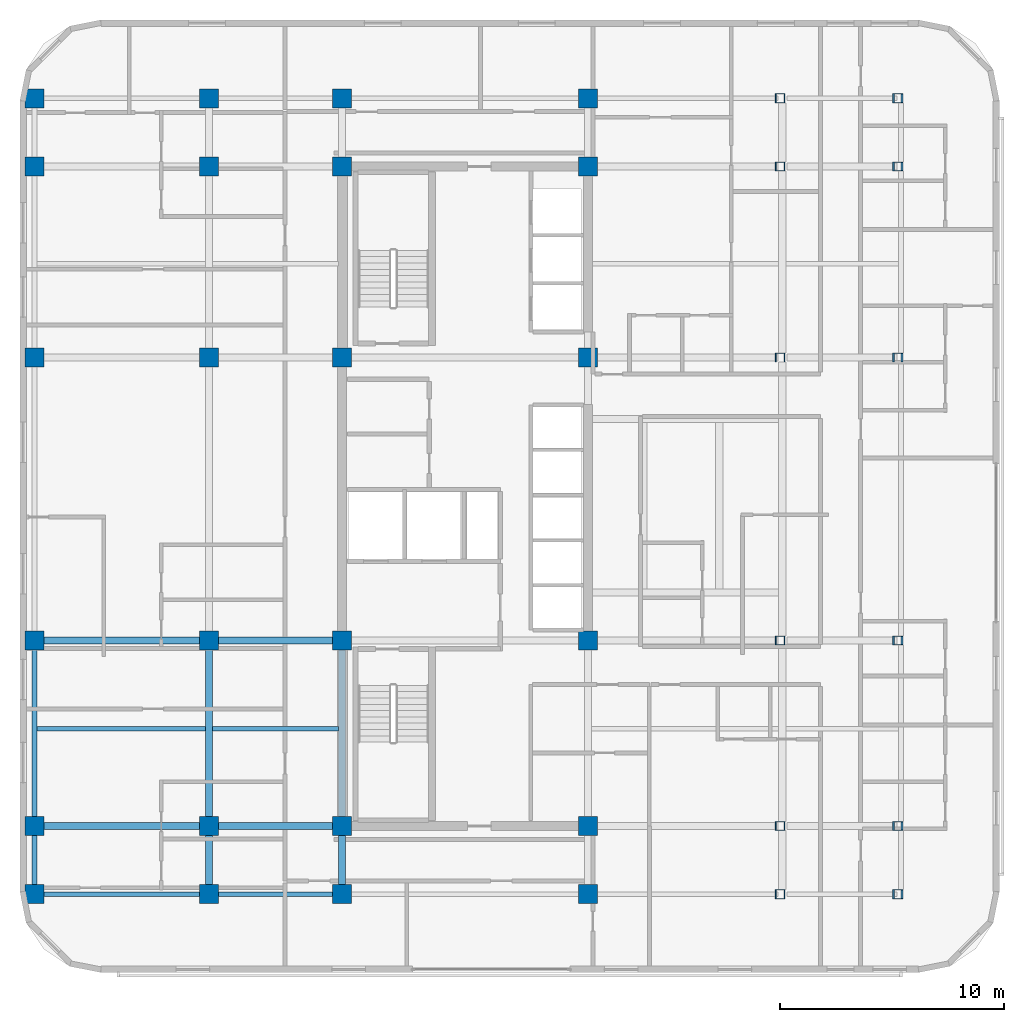
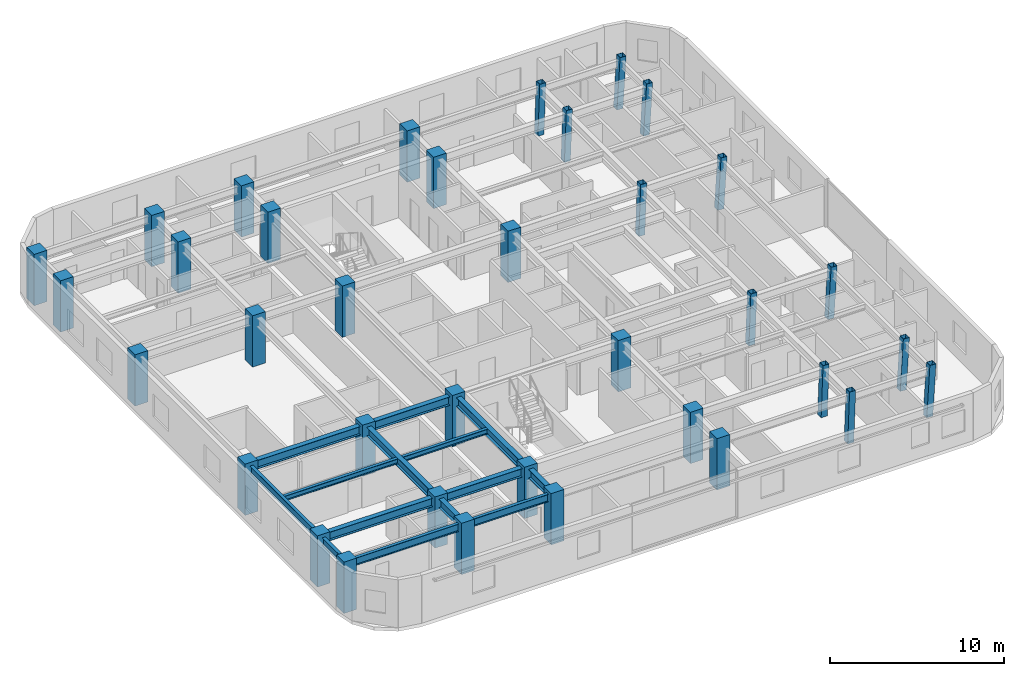
# One storey, part 1 of 14: 36 columns, 14 beams.
"""IFC4 building model written with IfcOpenShell, lengths in metres."""

import ifcopenshell
import ifcopenshell.guid

model = None  # the IFC model being written
_history = None  # IfcOwnerHistory: only IFC2X3 demands one
_inside = {}  # id of a spatial element -> (the spatial element, [elements in it])
_under = {}  # id of a project, library or spatial element -> (it, [spatial elements below it])
_declared = {}  # id of a project -> (the project, [libraries it declares])
_typed = {}  # id of a type object -> (the type object, [elements of that type])
_made_of = {}  # id of a material, layer set ... -> (it, [elements and type objects made of it])


def new_model(schema):
    """Start an empty IFC model of exactly this schema.

    Asked for "IFC4X3", IfcOpenShell would pick the latest addendum, in which some entities
    have other attributes; the version numbers below select the first issue.
    IFC2X3 requires an IfcOwnerHistory on every rooted entity: one is made here for all.
    """
    global model, _history
    if schema == "IFC4X3":
        model = ifcopenshell.file(schema_version=(4, 3, 0, 0))
    else:
        model = ifcopenshell.file(schema=schema)
    _inside.clear()
    _under.clear()
    _declared.clear()
    _typed.clear()
    _made_of.clear()
    _history = None
    if model.schema == "IFC2X3":
        org = make("IfcOrganization", Name="unknown")
        user = make(
            "IfcPersonAndOrganization",
            ThePerson=make("IfcPerson", FamilyName="unknown"),
            TheOrganization=org,
        )
        app = make(
            "IfcApplication",
            ApplicationDeveloper=org,
            Version="unknown",
            ApplicationFullName="unknown",
            ApplicationIdentifier="unknown",
        )
        _history = make(
            "IfcOwnerHistory",
            OwningUser=user,
            OwningApplication=app,
            ChangeAction="ADDED",
            CreationDate=0,
        )
    return model


def make(cls, **values):
    """One entity of the class cls with the attributes given. An attribute that is None is left unset."""
    return model.create_entity(
        cls, **{name: value for name, value in values.items() if value is not None}
    )


def rooted(cls, **values):
    """An entity with a GlobalId (a new one), such as an element, a storey or a relation."""
    return make(cls, GlobalId=ifcopenshell.guid.new(), OwnerHistory=_history, **values)


def si_unit(unit_type, name, prefix=None):
    """IfcSIUnit, for example si_unit("LENGTHUNIT", "METRE", prefix="MILLI")."""
    return make("IfcSIUnit", UnitType=unit_type, Prefix=prefix, Name=name)


def assignment(units):
    """IfcUnitAssignment: the units of a project."""
    return None if units is None else make("IfcUnitAssignment", Units=units)


def point(xyz):
    """IfcCartesianPoint."""
    return None if xyz is None else make("IfcCartesianPoint", Coordinates=xyz)


def direction(xyz):
    """IfcDirection."""
    return None if xyz is None else make("IfcDirection", DirectionRatios=xyz)


def frame(location, z_axis=None, x_axis=None):
    """IfcAxis2Placement3D, a coordinate frame: its origin and axes. An axis left out is left unset."""
    return make(
        "IfcAxis2Placement3D",
        Location=point(location),
        Axis=direction(z_axis),
        RefDirection=direction(x_axis),
    )


def frame_2d(location, x_axis=None):
    """IfcAxis2Placement2D, a coordinate frame in the plane: its origin and x axis."""
    return make(
        "IfcAxis2Placement2D", Location=point(location), RefDirection=direction(x_axis)
    )


def origin():
    """The frame at (0, 0, 0) with its axes left unset."""
    return frame((0.0, 0.0, 0.0))


def origin_2d():
    """The frame at (0, 0) in the plane with its x axis left unset."""
    return frame_2d((0.0, 0.0))


def place(relative_to, where):
    """IfcLocalPlacement: puts the frame where relative to a parent placement (None: the world)."""
    return make(
        "IfcLocalPlacement", PlacementRelTo=relative_to, RelativePlacement=where
    )


def context(
    kind, dimensions, precision=None, world=None, true_north=None, identifier=None
):
    """IfcGeometricRepresentationContext, for example the 3D "Model" context."""
    return make(
        "IfcGeometricRepresentationContext",
        ContextIdentifier=identifier,
        ContextType=kind,
        CoordinateSpaceDimension=dimensions,
        Precision=precision,
        WorldCoordinateSystem=world,
        TrueNorth=true_north,
    )


def subcontext(parent, identifier, kind, view, scale=None):
    """IfcGeometricRepresentationSubContext, for example "Body" below "Model"."""
    return make(
        "IfcGeometricRepresentationSubContext",
        ContextIdentifier=identifier,
        ContextType=kind,
        ParentContext=parent,
        TargetScale=scale,
        TargetView=view,
    )


def project(units=None, contexts=None):
    """IfcProject with its units and contexts."""
    return rooted(
        "IfcProject",
        Name="project",
        RepresentationContexts=contexts,
        UnitsInContext=assignment(units),
    )


def spatial(cls, under=None, at=None, **own):
    """A site, building, storey or space (cls), placed at a placement, below another one or the project."""
    s = rooted(cls, ObjectPlacement=at, **own)
    if under is not None:
        _under.setdefault(under.id(), (under, []))[1].append(s)
    return s


def profile(cls, at=None, kind="AREA", **sizes):
    """A parametric profile (cls). Its sizes go by their IFC names, for example OverallWidth=200.0."""
    return make(cls, ProfileType=kind, Position=at, **sizes)


def rectangle(**sizes):
    """IfcRectangleProfileDef."""
    return profile("IfcRectangleProfileDef", **sizes)


def hollow_rectangle(**sizes):
    """IfcRectangleHollowProfileDef."""
    return profile("IfcRectangleHollowProfileDef", **sizes)


def i_section(**sizes):
    """IfcIShapeProfileDef."""
    return profile("IfcIShapeProfileDef", **sizes)


def extrude(swept, where, along, depth):
    """IfcExtrudedAreaSolid: the profile swept, set in the frame where, extruded along a direction by depth."""
    return make(
        "IfcExtrudedAreaSolid",
        SweptArea=swept,
        Position=where,
        ExtrudedDirection=direction(along),
        Depth=depth,
    )


def shape(context_of_items, identifier, shape_type, items):
    """IfcShapeRepresentation: the items that make up one representation, for example the "Body"."""
    return make(
        "IfcShapeRepresentation",
        ContextOfItems=context_of_items,
        RepresentationIdentifier=identifier,
        RepresentationType=shape_type,
        Items=items,
    )


def material(Name=None, Category=None):
    """IfcMaterial."""
    return make("IfcMaterial", Name=Name, Category=Category)


def material_profile(
    of_material, cross_section, Name=None, Category=None, Priority=None
):
    """IfcMaterialProfile: a cross section and its material."""
    return make(
        "IfcMaterialProfile",
        Name=Name,
        Material=of_material,
        Profile=cross_section,
        Priority=Priority,
        Category=Category,
    )


def profile_set(profiles, Name=None, composite=None):
    """IfcMaterialProfileSet."""
    return make(
        "IfcMaterialProfileSet",
        Name=Name,
        MaterialProfiles=profiles,
        CompositeProfile=composite,
    )


def made_of(thing, what):
    """Note that an element or type object is made of a material, layer set ...; save() writes the relation."""
    if what is not None:
        _made_of.setdefault(what.id(), (what, []))[1].append(thing)
    return thing


def type_object(cls, material=None, **own):
    """A type object (cls), such as IfcWallType, which elements share."""
    return made_of(rooted(cls, **own), material)


def element(
    cls,
    number,
    at=None,
    inside=None,
    cuts=None,
    type_object=None,
    material=None,
    context=None,
    identifier="Body",
    shape_type=None,
    held_by="IfcProductDefinitionShape",
    body=None,
    shapes=None,
    **own,
):
    """One element of the class cls, such as IfcWall. Its Tag is "e" and its number.

    at: its placement. inside: the storey or other place that contains it. cuts: it is an
    opening in that element (IfcRelVoidsElement). A single representation is given by context,
    identifier, shape_type and body (its items); several are given by shapes. held_by: the class
    of the entity that holds the representations. save() writes the other relations.
    """
    e = rooted(cls, Tag="e%d" % number, ObjectPlacement=at, **own)
    if body is not None:
        shapes = [shape(context, identifier, shape_type, body)]
    if shapes is not None:
        e.Representation = make(held_by, Representations=shapes)
    if inside is not None:
        _inside.setdefault(inside.id(), (inside, []))[1].append(e)
    if cuts is not None:
        rooted(
            "IfcRelVoidsElement", RelatingBuildingElement=cuts, RelatedOpeningElement=e
        )
    if type_object is not None:
        _typed.setdefault(type_object.id(), (type_object, []))[1].append(e)
    return made_of(e, material)


def aggregate(whole, parts):
    """IfcRelAggregates: a whole, such as a stair, and the parts it consists of."""
    return rooted("IfcRelAggregates", RelatingObject=whole, RelatedObjects=parts)


def save(model, path):
    """Write the relations noted so far, then the file.

    IfcRelAggregates (storeys below a building ...), IfcRelContainedInSpatialStructure (elements
    in a storey), IfcRelDefinesByType, IfcRelAssociatesMaterial and IfcRelDeclares: one each for
    every whole, place, type object, material and project.
    """
    for whole, parts in _under.values():
        aggregate(whole, parts)
    for where, things in _inside.values():
        rooted(
            "IfcRelContainedInSpatialStructure",
            RelatedElements=things,
            RelatingStructure=where,
        )
    for kind, things in _typed.values():
        rooted("IfcRelDefinesByType", RelatedObjects=things, RelatingType=kind)
    for what, things in _made_of.values():
        rooted("IfcRelAssociatesMaterial", RelatedObjects=things, RelatingMaterial=what)
    for by, libraries in _declared.values():
        rooted("IfcRelDeclares", RelatingContext=by, RelatedDefinitions=libraries)
    model.write(path)


model = new_model("IFC4")

# Units and contexts
model_context = context("Model", 3, precision=1e-05, world=origin(), true_north=direction((0.0, 1.0)))
body_context = subcontext(model_context, "Body", "Model", "MODEL_VIEW")
ifc_project = project(units=[si_unit("LENGTHUNIT", "METRE"), si_unit("AREAUNIT", "SQUARE_METRE"), si_unit("VOLUMEUNIT", "CUBIC_METRE"), si_unit("PLANEANGLEUNIT", "RADIAN"), si_unit("MASSUNIT", "GRAM", prefix="KILO")], contexts=[model_context])

# Site, building, storey
site_placement = place(None, origin())
site = spatial("IfcSite", under=ifc_project, at=site_placement, CompositionType="ELEMENT")
building_placement = place(site_placement, origin())
building = spatial("IfcBuilding", under=site, at=building_placement, Name="Ochreholt Gables", CompositionType="ELEMENT")
storey_placement = place(building_placement, frame((0.0, 0.0, 109.800048828125)))
storey = spatial("IfcBuildingStorey", under=building, at=storey_placement, Name="L28", CompositionType="ELEMENT", Elevation=109.800048828125)

# Columns
ifc_material_1 = material(Name="Steel CSA G40.21 350W", Category="steel")
ifc_material_profile_1 = material_profile(ifc_material_1, hollow_rectangle(XDim=0.406005859375, YDim=0.406005859375, WallThickness=0.01611328125, at=origin_2d()), Name="HSS406X406X16")
ifc_profile_set_1 = profile_set([ifc_material_profile_1], Name="Steel CSA G40.21 350W")
column_type_1 = type_object("IfcColumnType", Name="COL-HSS406-RAK", PredefinedType="COLUMN", material=ifc_profile_set_1)
for number, where, z_axis, x_axis, name in (
    (1, (43.779052734375, 9.25, 0.0), (0.034973505036, 0.0, 0.999388239847), (0.0, 1.0, 0.0), "L28 Column EMY2"),
    (2, (43.779052734375, 17.550048828125, 0.0), (0.034973505036, 0.0, 0.999388239847), (0.0, 1.0, 0.0), "L28 Column EMY3"),
    (3, (43.779052734375, 30.199951171875, 0.0), (0.034973505036, 0.0, 0.999388239847), (0.0, 1.0, 0.0), "L28 Column EMY4"),
    (4, (43.779052734375, 38.75, 0.0), (0.034973505036, 0.0, 0.999388239847), (0.0, 1.0, 0.0), "L28 Column EMY5"),
):
    element("IfcColumn", number, at=place(storey_placement, frame(where, z_axis=z_axis, x_axis=x_axis)), inside=storey, type_object=column_type_1, Name=name, PredefinedType="COLUMN", context=body_context, shape_type="SweptSolid", body=[
        extrude(hollow_rectangle(XDim=0.406005859375, YDim=0.406005859375, WallThickness=0.01611328125, at=origin_2d()), origin(), (0.0, 0.0, 1.0), 3.60205078125),
    ])
ifc_material_profile_2 = material_profile(ifc_material_1, hollow_rectangle(XDim=0.406005859375, YDim=0.406005859375, WallThickness=0.01611328125, at=origin_2d()), Name="HSS406X406X16")
ifc_profile_set_2 = profile_set([ifc_material_profile_2], Name="Steel CSA G40.21 350W")
column_type_2 = type_object("IfcColumnType", Name="COL-HSS406-RAKE", PredefinedType="COLUMN", material=ifc_profile_set_2)
for number, where, z_axis, x_axis, name in (
    (5, (43.779052734375, 6.199951171875, 0.0), (0.034973505036, 0.0, 0.999388239847), (0.0, 1.0, 0.0), "L28 Column EMY1"),
    (6, (43.779052734375, 41.800048828125, 0.0), (0.034973505036, 0.0, 0.999388239847), (0.0, 1.0, 0.0), "L28 Column EMY6"),
):
    element("IfcColumn", number, at=place(storey_placement, frame(where, z_axis=z_axis, x_axis=x_axis)), inside=storey, type_object=column_type_2, Name=name, PredefinedType="COLUMN", context=body_context, shape_type="SweptSolid", body=[
        extrude(hollow_rectangle(XDim=0.406005859375, YDim=0.406005859375, WallThickness=0.01611328125, at=origin_2d()), origin(), (0.0, 0.0, 1.0), 3.60205078125),
    ])
for number, where, z_axis, x_axis, name in (
    (7, (49.025146484375, 6.199951171875, 0.0), (0.057888518877, 0.0, 0.998323053617), (0.0, 1.0, 0.0), "L28 Column EEY1"),
    (8, (49.025146484375, 9.25, 0.0), (0.057888518877, 0.0, 0.998323053617), (0.0, 1.0, 0.0), "L28 Column EEY2"),
    (9, (49.025146484375, 17.550048828125, 0.0), (0.057888518877, 0.0, 0.998323053617), (0.0, 1.0, 0.0), "L28 Column EEY3"),
    (10, (49.025146484375, 30.199951171875, 0.0), (0.057888518877, 0.0, 0.998323053617), (0.0, 1.0, 0.0), "L28 Column EEY4"),
    (11, (49.025146484375, 38.75, 0.0), (0.057888518877, 0.0, 0.998323053617), (0.0, 1.0, 0.0), "L28 Column EEY5"),
    (12, (49.025146484375, 41.800048828125, 0.0), (0.057888518877, 0.0, 0.998323053617), (0.0, 1.0, 0.0), "L28 Column EEY6"),
):
    element("IfcColumn", number, at=place(storey_placement, frame(where, z_axis=z_axis, x_axis=x_axis)), inside=storey, type_object=column_type_2, Name=name, PredefinedType="COLUMN", context=body_context, shape_type="SweptSolid", body=[
        extrude(hollow_rectangle(XDim=0.406005859375, YDim=0.406005859375, WallThickness=0.01611328125, at=origin_2d()), origin(), (0.0, 0.0, 1.0), 3.60595703125),
    ])
ifc_material_2 = material(Name="Concrete 60 MPa", Category="concrete")
ifc_material_profile_3 = material_profile(ifc_material_2, rectangle(XDim=0.85009765625, YDim=0.85009765625, at=origin_2d()), Name="RC850X850")
ifc_profile_set_3 = profile_set([ifc_material_profile_3], Name="Concrete 60 MPa")
column_type_3 = type_object("IfcColumnType", Name="COL-RC850-EXT", PredefinedType="COLUMN", material=ifc_profile_set_3)
for number, where, z_axis, x_axis, name in (
    (13, (10.449951171875, 6.199951171875, 0.0), (0.0, 0.0, 1.0), (1.0, 0.0, 0.0), "L28 Column W2Y1"),
    (14, (10.449951171875, 9.25, 0.0), (0.0, 0.0, 1.0), (1.0, 0.0, 0.0), "L28 Column W2Y2"),
    (15, (10.449951171875, 17.550048828125, 0.0), (0.0, 0.0, 1.0), (1.0, 0.0, 0.0), "L28 Column W2Y3"),
    (16, (10.449951171875, 30.199951171875, 0.0), (0.0, 0.0, 1.0), (1.0, 0.0, 0.0), "L28 Column W2Y4"),
    (17, (10.449951171875, 38.75, 0.0), (0.0, 0.0, 1.0), (1.0, 0.0, 0.0), "L28 Column W2Y5"),
    (18, (10.449951171875, 41.800048828125, 0.0), (0.0, 0.0, 1.0), (1.0, 0.0, 0.0), "L28 Column W2Y6"),
    (19, (18.25, 6.199951171875, 0.0), (0.0, 0.0, 1.0), (1.0, 0.0, 0.0), "L28 Column W3Y1"),
    (20, (18.25, 41.800048828125, 0.0), (0.0, 0.0, 1.0), (1.0, 0.0, 0.0), "L28 Column W3Y6"),
    (21, (24.199951171875, 6.199951171875, 0.0), (0.0, 0.0, 1.0), (1.0, 0.0, 0.0), "L28 Column C1Y1"),
    (22, (24.199951171875, 41.800048828125, 0.0), (0.0, 0.0, 1.0), (1.0, 0.0, 0.0), "L28 Column C1Y6"),
    (23, (35.199951171875, 6.199951171875, 0.0), (0.0, 0.0, 1.0), (1.0, 0.0, 0.0), "L28 Column C2Y1"),
    (24, (35.199951171875, 41.800048828125, 0.0), (0.0, 0.0, 1.0), (1.0, 0.0, 0.0), "L28 Column C2Y6"),
):
    element("IfcColumn", number, at=place(storey_placement, frame(where, z_axis=z_axis, x_axis=x_axis)), inside=storey, type_object=column_type_3, Name=name, PredefinedType="COLUMN", context=body_context, shape_type="SweptSolid", body=[
        extrude(rectangle(XDim=0.85009765625, YDim=0.85009765625, at=origin_2d()), origin(), (0.0, 0.0, 1.0), 3.599853515625),
    ])
ifc_material_profile_4 = material_profile(ifc_material_2, rectangle(XDim=0.85009765625, YDim=0.85009765625, at=origin_2d()), Name="RC850X850")
ifc_profile_set_4 = profile_set([ifc_material_profile_4], Name="Concrete 60 MPa")
column_type_4 = type_object("IfcColumnType", Name="COL-RC850-INT", PredefinedType="COLUMN", material=ifc_profile_set_4)
for number, where, z_axis, x_axis, name in (
    (25, (18.25, 9.25, 0.0), (0.0, 0.0, 1.0), (1.0, 0.0, 0.0), "L28 Column W3Y2"),
    (26, (18.25, 17.550048828125, 0.0), (0.0, 0.0, 1.0), (1.0, 0.0, 0.0), "L28 Column W3Y3"),
    (27, (18.25, 30.199951171875, 0.0), (0.0, 0.0, 1.0), (1.0, 0.0, 0.0), "L28 Column W3Y4"),
    (28, (18.25, 38.75, 0.0), (0.0, 0.0, 1.0), (1.0, 0.0, 0.0), "L28 Column W3Y5"),
    (29, (24.199951171875, 9.25, 0.0), (0.0, 0.0, 1.0), (1.0, 0.0, 0.0), "L28 Column C1Y2"),
    (30, (24.199951171875, 17.550048828125, 0.0), (0.0, 0.0, 1.0), (1.0, 0.0, 0.0), "L28 Column C1Y3"),
    (31, (24.199951171875, 30.199951171875, 0.0), (0.0, 0.0, 1.0), (1.0, 0.0, 0.0), "L28 Column C1Y4"),
    (32, (24.199951171875, 38.75, 0.0), (0.0, 0.0, 1.0), (1.0, 0.0, 0.0), "L28 Column C1Y5"),
    (33, (35.199951171875, 9.25, 0.0), (0.0, 0.0, 1.0), (1.0, 0.0, 0.0), "L28 Column C2Y2"),
    (34, (35.199951171875, 17.550048828125, 0.0), (0.0, 0.0, 1.0), (1.0, 0.0, 0.0), "L28 Column C2Y3"),
    (35, (35.199951171875, 30.199951171875, 0.0), (0.0, 0.0, 1.0), (1.0, 0.0, 0.0), "L28 Column C2Y4"),
    (36, (35.199951171875, 38.75, 0.0), (0.0, 0.0, 1.0), (1.0, 0.0, 0.0), "L28 Column C2Y5"),
):
    element("IfcColumn", number, at=place(storey_placement, frame(where, z_axis=z_axis, x_axis=x_axis)), inside=storey, type_object=column_type_4, Name=name, PredefinedType="COLUMN", context=body_context, shape_type="SweptSolid", body=[
        extrude(rectangle(XDim=0.85009765625, YDim=0.85009765625, at=origin_2d()), origin(), (0.0, 0.0, 1.0), 3.599853515625),
    ])

# Beams
ifc_material_profile_5 = material_profile(ifc_material_1, i_section(OverallWidth=0.323974609375, OverallDepth=0.611083984375, WebThickness=0.0126953125, FlangeThickness=0.01904296875, at=origin_2d()), Name="W610X155")
ifc_profile_set_5 = profile_set([ifc_material_profile_5], Name="Steel CSA G40.21 350W")
beam_type_1 = type_object("IfcBeamType", Name="BM-G-W610A", PredefinedType="BEAM", material=ifc_profile_set_5)
beam_1_placement = place(storey_placement, frame((10.87451171875, 9.25, 3.054443359375), z_axis=(1.0, 0.0, 0.0), x_axis=(0.0, 1.0, 0.0)))
element("IfcBeam", 37, at=beam_1_placement, inside=storey, type_object=beam_type_1, Name="L28 Beam TBG-L28-W2W3-Y2", PredefinedType="BEAM", context=body_context, shape_type="SweptSolid", body=[
    extrude(i_section(OverallWidth=0.323974609375, OverallDepth=0.611083984375, WebThickness=0.0126953125, FlangeThickness=0.01904296875, at=origin_2d()), origin(), (0.0, 0.0, 1.0), 6.950927734375),
])
beam_2_placement = place(storey_placement, frame((18.674560546875, 9.25, 3.054443359375), z_axis=(1.0, 0.0, 0.0), x_axis=(0.0, 1.0, 0.0)))
element("IfcBeam", 38, at=beam_2_placement, inside=storey, type_object=beam_type_1, Name="L28 Beam TBG-L28-W3C1-Y2", PredefinedType="BEAM", context=body_context, shape_type="SweptSolid", body=[
    extrude(i_section(OverallWidth=0.323974609375, OverallDepth=0.611083984375, WebThickness=0.0126953125, FlangeThickness=0.01904296875, at=origin_2d()), origin(), (0.0, 0.0, 1.0), 5.100830078125),
])
beam_3_placement = place(storey_placement, frame((10.87451171875, 17.550048828125, 3.054443359375), z_axis=(1.0, 0.0, 0.0), x_axis=(0.0, 1.0, 0.0)))
element("IfcBeam", 39, at=beam_3_placement, inside=storey, type_object=beam_type_1, Name="L28 Beam TBG-L28-W2W3-Y3", PredefinedType="BEAM", context=body_context, shape_type="SweptSolid", body=[
    extrude(i_section(OverallWidth=0.323974609375, OverallDepth=0.611083984375, WebThickness=0.0126953125, FlangeThickness=0.01904296875, at=origin_2d()), origin(), (0.0, 0.0, 1.0), 6.950927734375),
])
beam_4_placement = place(storey_placement, frame((18.674560546875, 17.550048828125, 3.054443359375), z_axis=(1.0, 0.0, 0.0), x_axis=(0.0, 1.0, 0.0)))
element("IfcBeam", 40, at=beam_4_placement, inside=storey, type_object=beam_type_1, Name="L28 Beam TBG-L28-W3C1-Y3", PredefinedType="BEAM", context=body_context, shape_type="SweptSolid", body=[
    extrude(i_section(OverallWidth=0.323974609375, OverallDepth=0.611083984375, WebThickness=0.0126953125, FlangeThickness=0.01904296875, at=origin_2d()), origin(), (0.0, 0.0, 1.0), 5.100830078125),
])
beam_5_placement = place(storey_placement, frame((18.25, 6.62451171875, 3.054443359375), z_axis=(0.0, 1.0, 0.0), x_axis=(-1.0, 0.0, 0.0)))
element("IfcBeam", 41, at=beam_5_placement, inside=storey, type_object=beam_type_1, Name="L28 Beam TBN-L28-W3-Y1Y2", PredefinedType="BEAM", context=body_context, shape_type="SweptSolid", body=[
    extrude(i_section(OverallWidth=0.323974609375, OverallDepth=0.611083984375, WebThickness=0.0126953125, FlangeThickness=0.01904296875, at=origin_2d()), origin(), (0.0, 0.0, 1.0), 2.200927734375),
])
beam_6_placement = place(storey_placement, frame((18.25, 9.674560546875, 3.054443359375), z_axis=(0.0, 1.0, 0.0), x_axis=(-1.0, 0.0, 0.0)))
element("IfcBeam", 42, at=beam_6_placement, inside=storey, type_object=beam_type_1, Name="L28 Beam TBN-L28-W3-Y2Y3", PredefinedType="BEAM", context=body_context, shape_type="SweptSolid", body=[
    extrude(i_section(OverallWidth=0.323974609375, OverallDepth=0.611083984375, WebThickness=0.0126953125, FlangeThickness=0.01904296875, at=origin_2d()), origin(), (0.0, 0.0, 1.0), 7.450927734375),
])
beam_7_placement = place(storey_placement, frame((24.199951171875, 6.62451171875, 3.054443359375), z_axis=(0.0, 1.0, 0.0), x_axis=(-1.0, 0.0, 0.0)))
element("IfcBeam", 43, at=beam_7_placement, inside=storey, type_object=beam_type_1, Name="L28 Beam TBN-L28-C1-Y1Y2", PredefinedType="BEAM", context=body_context, shape_type="SweptSolid", body=[
    extrude(i_section(OverallWidth=0.323974609375, OverallDepth=0.611083984375, WebThickness=0.0126953125, FlangeThickness=0.01904296875, at=origin_2d()), origin(), (0.0, 0.0, 1.0), 2.200927734375),
])
beam_8_placement = place(storey_placement, frame((24.199951171875, 9.674560546875, 3.054443359375), z_axis=(0.0, 1.0, 0.0), x_axis=(-1.0, 0.0, 0.0)))
element("IfcBeam", 44, at=beam_8_placement, inside=storey, type_object=beam_type_1, Name="L28 Beam TBN-L28-C1-Y2Y3", PredefinedType="BEAM", context=body_context, shape_type="SweptSolid", body=[
    extrude(i_section(OverallWidth=0.323974609375, OverallDepth=0.611083984375, WebThickness=0.0126953125, FlangeThickness=0.01904296875, at=origin_2d()), origin(), (0.0, 0.0, 1.0), 7.450927734375),
])
ifc_material_profile_6 = material_profile(ifc_material_1, i_section(OverallWidth=0.205078125, OverallDepth=0.35400390625, WebThickness=0.009521484375, FlangeThickness=0.016845703125, at=origin_2d()), Name="W360X79")
ifc_profile_set_6 = profile_set([ifc_material_profile_6], Name="Steel CSA G40.21 350W")
beam_type_2 = type_object("IfcBeamType", Name="BM-J-W360A", PredefinedType="JOIST", material=ifc_profile_set_6)
beam_9_placement = place(storey_placement, frame((10.55419921875, 13.60009765625, 3.182861328125), z_axis=(1.0, 0.0, 0.0), x_axis=(0.0, 1.0, 0.0)))
element("IfcBeam", 45, at=beam_9_placement, inside=storey, type_object=beam_type_2, Name="L28 Beam TBJ-L28-J1-W2W3", PredefinedType="JOIST", context=body_context, shape_type="SweptSolid", body=[
    extrude(i_section(OverallWidth=0.205078125, OverallDepth=0.35400390625, WebThickness=0.009521484375, FlangeThickness=0.016845703125, at=origin_2d()), origin(), (0.0, 0.0, 1.0), 7.5341796875),
])
beam_10_placement = place(storey_placement, frame((18.41162109375, 13.60009765625, 3.182861328125), z_axis=(1.0, 0.0, 0.0), x_axis=(0.0, 1.0, 0.0)))
element("IfcBeam", 46, at=beam_10_placement, inside=storey, type_object=beam_type_2, Name="L28 Beam TBJ-L28-J1-W3C1", PredefinedType="JOIST", context=body_context, shape_type="SweptSolid", body=[
    extrude(i_section(OverallWidth=0.205078125, OverallDepth=0.35400390625, WebThickness=0.009521484375, FlangeThickness=0.016845703125, at=origin_2d()), origin(), (0.0, 0.0, 1.0), 5.626708984375),
])
ifc_material_profile_7 = material_profile(ifc_material_1, i_section(OverallWidth=0.208984375, OverallDepth=0.532958984375, WebThickness=0.01025390625, FlangeThickness=0.015625, at=origin_2d()), Name="W530X92")
ifc_profile_set_7 = profile_set([ifc_material_profile_7], Name="Steel CSA G40.21 350W")
beam_type_3 = type_object("IfcBeamType", Name="BM-SP-W530B", PredefinedType="SPANDREL", material=ifc_profile_set_7)
beam_11_placement = place(storey_placement, frame((10.87451171875, 6.199951171875, 3.093505859375), z_axis=(1.0, 0.0, 0.0), x_axis=(0.0, 1.0, 0.0)))
element("IfcBeam", 47, at=beam_11_placement, inside=storey, type_object=beam_type_3, Name="L28 Beam TBG-L28-W2W3-Y1", PredefinedType="SPANDREL", context=body_context, shape_type="SweptSolid", body=[
    extrude(i_section(OverallWidth=0.208984375, OverallDepth=0.532958984375, WebThickness=0.01025390625, FlangeThickness=0.015625, at=origin_2d()), origin(), (0.0, 0.0, 1.0), 6.950927734375),
])
beam_12_placement = place(storey_placement, frame((18.674560546875, 6.199951171875, 3.093505859375), z_axis=(1.0, 0.0, 0.0), x_axis=(0.0, 1.0, 0.0)))
element("IfcBeam", 48, at=beam_12_placement, inside=storey, type_object=beam_type_3, Name="L28 Beam TBG-L28-W3C1-Y1", PredefinedType="SPANDREL", context=body_context, shape_type="SweptSolid", body=[
    extrude(i_section(OverallWidth=0.208984375, OverallDepth=0.532958984375, WebThickness=0.01025390625, FlangeThickness=0.015625, at=origin_2d()), origin(), (0.0, 0.0, 1.0), 5.100830078125),
])
beam_13_placement = place(storey_placement, frame((10.449951171875, 6.62451171875, 3.093505859375), z_axis=(0.0, 1.0, 0.0), x_axis=(-1.0, 0.0, 0.0)))
element("IfcBeam", 49, at=beam_13_placement, inside=storey, type_object=beam_type_3, Name="L28 Beam TBN-L28-W2-Y1Y2", PredefinedType="SPANDREL", context=body_context, shape_type="SweptSolid", body=[
    extrude(i_section(OverallWidth=0.208984375, OverallDepth=0.532958984375, WebThickness=0.01025390625, FlangeThickness=0.015625, at=origin_2d()), origin(), (0.0, 0.0, 1.0), 2.200927734375),
])
beam_14_placement = place(storey_placement, frame((10.449951171875, 9.674560546875, 3.093505859375), z_axis=(0.0, 1.0, 0.0), x_axis=(-1.0, 0.0, 0.0)))
element("IfcBeam", 50, at=beam_14_placement, inside=storey, type_object=beam_type_3, Name="L28 Beam TBN-L28-W2-Y2Y3", PredefinedType="SPANDREL", context=body_context, shape_type="SweptSolid", body=[
    extrude(i_section(OverallWidth=0.208984375, OverallDepth=0.532958984375, WebThickness=0.01025390625, FlangeThickness=0.015625, at=origin_2d()), origin(), (0.0, 0.0, 1.0), 7.450927734375),
])

save(model, "model.ifc")
